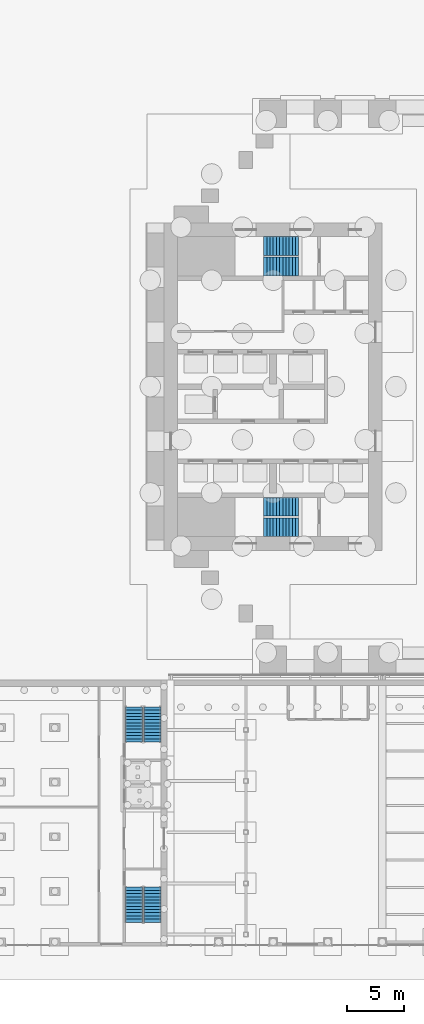
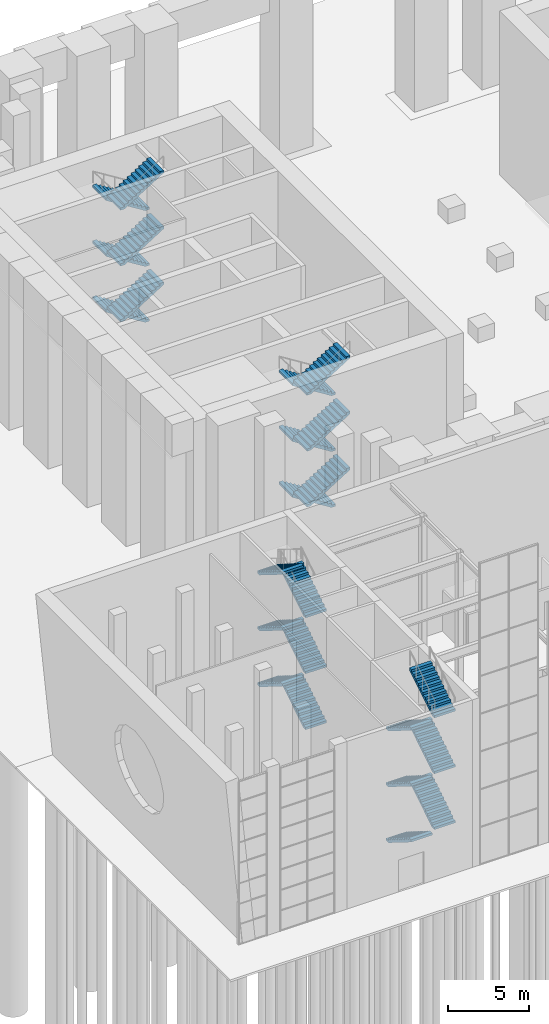
# One storey, part 49 of 58: 24 stair flights, 4 elements without a shape of their own.
"""IFC4 building model written with IfcOpenShell, lengths in metres."""

from ifc_helpers import new_model, si_unit, direction, frame, origin, place, context, subcontext, project, spatial, polyline, outline, extrude, material, type_object, element, aggregate, save


model = new_model("IFC4")

# Units and contexts
model_context = context("Model", 3, precision=1e-05, world=origin(), true_north=direction((0.0, 1.0)))
body_context = subcontext(model_context, "Body", "Model", "MODEL_VIEW")
ifc_project = project(units=[si_unit("LENGTHUNIT", "METRE"), si_unit("AREAUNIT", "SQUARE_METRE"), si_unit("VOLUMEUNIT", "CUBIC_METRE"), si_unit("PLANEANGLEUNIT", "RADIAN"), si_unit("MASSUNIT", "GRAM", prefix="KILO")], contexts=[model_context])

# Site, building, storey
site_placement = place(None, origin())
site = spatial("IfcSite", under=ifc_project, at=site_placement, CompositionType="ELEMENT")
building_placement = place(site_placement, origin())
building = spatial("IfcBuilding", under=site, at=building_placement, Name="Baori Bourse Tower", CompositionType="ELEMENT")
storey_placement = place(building_placement, origin())
storey = spatial("IfcBuildingStorey", under=building, at=storey_placement, Name="L00", CompositionType="ELEMENT", Elevation=0.0)

# Stair, stair flights
ifc_material_1 = material(Name="Concrete f'c 50 MPa", Category="concrete")
stair_type_1 = type_object("IfcStairType", Name="Core stair", PredefinedType="HALF_TURN_STAIR", material=ifc_material_1)
stair_1_placement = place(storey_placement, origin())
stair_1 = element("IfcStair", 1, at=stair_1_placement, inside=storey, type_object=stair_type_1, Name="L00 Stair WA", PredefinedType="HALF_TURN_STAIR")
ifc_material_2 = material(Name="Concrete f'c 50 MPa", Category="concrete")
stair_flight_type_1 = type_object("IfcStairFlightType", Name="Core stair flight", PredefinedType="STRAIGHT", material=ifc_material_2)
stair_flight_1_placement = place(storey_placement, frame((11.85009765625, 13.425048828125, 0.0), z_axis=(0.0, 0.0, 1.0), x_axis=(-1.0, 0.0, 0.0)))
stair_flight_1 = element("IfcStairFlight", 2, at=stair_flight_1_placement, type_object=stair_flight_type_1, Name="ST1 flight 1", NumberOfRisers=12, NumberOfTreads=11, PredefinedType="STRAIGHT", RiserHeight=0.175, TreadLength=0.28, context=body_context, shape_type="SweptSolid", body=[
    extrude(outline(polyline([(0.0, 0.0), (0.0, 0.175048828125), (0.280029296875, 0.175048828125), (0.280029296875, 0.35009765625), (0.56005859375, 0.35009765625), (0.56005859375, 0.52490234375), (0.840087890625, 0.52490234375), (0.840087890625, 0.699951171875), (1.1201171875, 0.699951171875), (1.1201171875, 0.875), (1.39990234375, 0.875), (1.39990234375, 1.050048828125), (1.679931640625, 1.050048828125), (1.679931640625, 1.22509765625), (1.9599609375, 1.22509765625), (1.9599609375, 1.39990234375), (2.239990234375, 1.39990234375), (2.239990234375, 1.574951171875), (2.52001953125, 1.574951171875), (2.52001953125, 1.75), (2.800048828125, 1.75), (2.800048828125, 1.925048828125), (3.080078125, 1.925048828125), (3.080078125, 2.10009765625), (3.080078125, 1.748291015625), (0.28271484375, 0.0), (0.0, 0.0)])), frame((0.0, 0.824951171875, 0.0), z_axis=(0.0, -1.0, 0.0), x_axis=(1.0, 0.0, 0.0)), (0.0, 0.0, 1.0), 1.64990234375),
])
stair_flight_2_placement = place(storey_placement, frame((8.77001953125, 11.625, 2.10009765625), z_axis=(0.0, 0.0, 1.0), x_axis=(1.0, 0.0, 0.0)))
stair_flight_2 = element("IfcStairFlight", 3, at=stair_flight_2_placement, type_object=stair_flight_type_1, Name="ST1 flight 2", NumberOfRisers=12, NumberOfTreads=11, PredefinedType="STRAIGHT", RiserHeight=0.175, TreadLength=0.28, context=body_context, shape_type="SweptSolid", body=[
    extrude(outline(polyline([(0.0, 0.0), (0.0, 0.175048828125), (0.280029296875, 0.175048828125), (0.280029296875, 0.35009765625), (0.56005859375, 0.35009765625), (0.56005859375, 0.52490234375), (0.840087890625, 0.52490234375), (0.840087890625, 0.699951171875), (1.1201171875, 0.699951171875), (1.1201171875, 0.875), (1.39990234375, 0.875), (1.39990234375, 1.050048828125), (1.679931640625, 1.050048828125), (1.679931640625, 1.22509765625), (1.9599609375, 1.22509765625), (1.9599609375, 1.39990234375), (2.239990234375, 1.39990234375), (2.239990234375, 1.574951171875), (2.52001953125, 1.574951171875), (2.52001953125, 1.75), (2.800048828125, 1.75), (2.800048828125, 1.925048828125), (3.080078125, 1.925048828125), (3.080078125, 2.10009765625), (3.080078125, 1.748291015625), (0.28271484375, 0.0), (0.0, 0.0)])), frame((0.0, 0.824951171875, 0.0), z_axis=(0.0, -1.0, 0.0), x_axis=(1.0, 0.0, 0.0)), (0.0, 0.0, 1.0), 1.64990234375),
])
stair_flight_3_placement = place(storey_placement, frame((11.85009765625, 13.425048828125, 4.199951171875), z_axis=(0.0, 0.0, 1.0), x_axis=(-1.0, 0.0, 0.0)))
stair_flight_3 = element("IfcStairFlight", 4, at=stair_flight_3_placement, type_object=stair_flight_type_1, Name="ST1 flight 3", NumberOfRisers=12, NumberOfTreads=11, PredefinedType="STRAIGHT", RiserHeight=0.175, TreadLength=0.28, context=body_context, shape_type="SweptSolid", body=[
    extrude(outline(polyline([(0.0, 0.0), (0.0, 0.175048828125), (0.280029296875, 0.175048828125), (0.280029296875, 0.35009765625), (0.56005859375, 0.35009765625), (0.56005859375, 0.52490234375), (0.840087890625, 0.52490234375), (0.840087890625, 0.699951171875), (1.1201171875, 0.699951171875), (1.1201171875, 0.875), (1.39990234375, 0.875), (1.39990234375, 1.050048828125), (1.679931640625, 1.050048828125), (1.679931640625, 1.22509765625), (1.9599609375, 1.22509765625), (1.9599609375, 1.39990234375), (2.239990234375, 1.39990234375), (2.239990234375, 1.574951171875), (2.52001953125, 1.574951171875), (2.52001953125, 1.75), (2.800048828125, 1.75), (2.800048828125, 1.925048828125), (3.080078125, 1.925048828125), (3.080078125, 2.10009765625), (3.080078125, 1.748291015625), (0.28271484375, 0.0), (0.0, 0.0)])), frame((0.0, 0.824951171875, 0.0), z_axis=(0.0, -1.0, 0.0), x_axis=(1.0, 0.0, 0.0)), (0.0, 0.0, 1.0), 1.64990234375),
])
stair_flight_4_placement = place(storey_placement, frame((8.77001953125, 11.625, 6.300048828125), z_axis=(0.0, 0.0, 1.0), x_axis=(1.0, 0.0, 0.0)))
stair_flight_4 = element("IfcStairFlight", 5, at=stair_flight_4_placement, type_object=stair_flight_type_1, Name="ST1 flight 4", NumberOfRisers=12, NumberOfTreads=11, PredefinedType="STRAIGHT", RiserHeight=0.175, TreadLength=0.28, context=body_context, shape_type="SweptSolid", body=[
    extrude(outline(polyline([(0.0, 0.0), (0.0, 0.175048828125), (0.280029296875, 0.175048828125), (0.280029296875, 0.35009765625), (0.56005859375, 0.35009765625), (0.56005859375, 0.52490234375), (0.840087890625, 0.52490234375), (0.840087890625, 0.699951171875), (1.1201171875, 0.699951171875), (1.1201171875, 0.875), (1.39990234375, 0.875), (1.39990234375, 1.050048828125), (1.679931640625, 1.050048828125), (1.679931640625, 1.22509765625), (1.9599609375, 1.22509765625), (1.9599609375, 1.39990234375), (2.239990234375, 1.39990234375), (2.239990234375, 1.574951171875), (2.52001953125, 1.574951171875), (2.52001953125, 1.75), (2.800048828125, 1.75), (2.800048828125, 1.925048828125), (3.080078125, 1.925048828125), (3.080078125, 2.10009765625), (3.080078125, 1.748291015625), (0.28271484375, 0.0), (0.0, 0.0)])), frame((0.0, 0.824951171875, 0.0), z_axis=(0.0, -1.0, 0.0), x_axis=(1.0, 0.0, 0.0)), (0.0, 0.0, 1.0), 1.64990234375),
])
stair_flight_5_placement = place(storey_placement, frame((11.85009765625, 13.425048828125, 8.39990234375), z_axis=(0.0, 0.0, 1.0), x_axis=(-1.0, 0.0, 0.0)))
stair_flight_5 = element("IfcStairFlight", 6, at=stair_flight_5_placement, type_object=stair_flight_type_1, Name="ST1 flight 5", NumberOfRisers=12, NumberOfTreads=11, PredefinedType="STRAIGHT", RiserHeight=0.175, TreadLength=0.28, context=body_context, shape_type="SweptSolid", body=[
    extrude(outline(polyline([(0.0, 0.0), (0.0, 0.175048828125), (0.280029296875, 0.175048828125), (0.280029296875, 0.35009765625), (0.56005859375, 0.35009765625), (0.56005859375, 0.52490234375), (0.840087890625, 0.52490234375), (0.840087890625, 0.699951171875), (1.1201171875, 0.699951171875), (1.1201171875, 0.875), (1.39990234375, 0.875), (1.39990234375, 1.050048828125), (1.679931640625, 1.050048828125), (1.679931640625, 1.22509765625), (1.9599609375, 1.22509765625), (1.9599609375, 1.39990234375), (2.239990234375, 1.39990234375), (2.239990234375, 1.574951171875), (2.52001953125, 1.574951171875), (2.52001953125, 1.75), (2.800048828125, 1.75), (2.800048828125, 1.925048828125), (3.080078125, 1.925048828125), (3.080078125, 2.10009765625), (3.080078125, 1.748291015625), (0.28271484375, 0.0), (0.0, 0.0)])), frame((0.0, 0.824951171875, 0.0), z_axis=(0.0, -1.0, 0.0), x_axis=(1.0, 0.0, 0.0)), (0.0, 0.0, 1.0), 1.64990234375),
])
stair_flight_6_placement = place(storey_placement, frame((8.77001953125, 11.625, 10.5), z_axis=(0.0, 0.0, 1.0), x_axis=(1.0, 0.0, 0.0)))
stair_flight_6 = element("IfcStairFlight", 7, at=stair_flight_6_placement, type_object=stair_flight_type_1, Name="ST1 flight 6", NumberOfRisers=12, NumberOfTreads=11, PredefinedType="STRAIGHT", RiserHeight=0.175, TreadLength=0.28, context=body_context, shape_type="SweptSolid", body=[
    extrude(outline(polyline([(0.0, 0.0), (0.0, 0.175048828125), (0.280029296875, 0.175048828125), (0.280029296875, 0.35009765625), (0.56005859375, 0.35009765625), (0.56005859375, 0.52490234375), (0.840087890625, 0.52490234375), (0.840087890625, 0.699951171875), (1.1201171875, 0.699951171875), (1.1201171875, 0.875), (1.39990234375, 0.875), (1.39990234375, 1.050048828125), (1.679931640625, 1.050048828125), (1.679931640625, 1.22509765625), (1.9599609375, 1.22509765625), (1.9599609375, 1.39990234375), (2.239990234375, 1.39990234375), (2.239990234375, 1.574951171875), (2.52001953125, 1.574951171875), (2.52001953125, 1.75), (2.800048828125, 1.75), (2.800048828125, 1.925048828125), (3.080078125, 1.925048828125), (3.080078125, 2.10009765625), (3.080078125, 1.748291015625), (0.28271484375, 0.0), (0.0, 0.0)])), frame((0.0, 0.824951171875, 0.0), z_axis=(0.0, -1.0, 0.0), x_axis=(1.0, 0.0, 0.0)), (0.0, 0.0, 1.0), 1.64990234375),
])
aggregate(stair_1, [stair_flight_1, stair_flight_2, stair_flight_3, stair_flight_4, stair_flight_5, stair_flight_6])

stair_2_placement = place(storey_placement, origin())
stair_2 = element("IfcStair", 8, at=stair_2_placement, inside=storey, type_object=stair_type_1, Name="L00 Stair WB", PredefinedType="HALF_TURN_STAIR")
stair_flight_7_placement = place(storey_placement, frame((11.85009765625, 36.375, 0.0), z_axis=(0.0, 0.0, 1.0), x_axis=(-1.0, 0.0, 0.0)))
stair_flight_7 = element("IfcStairFlight", 9, at=stair_flight_7_placement, type_object=stair_flight_type_1, Name="ST2 flight 1", NumberOfRisers=12, NumberOfTreads=11, PredefinedType="STRAIGHT", RiserHeight=0.175, TreadLength=0.28, context=body_context, shape_type="SweptSolid", body=[
    extrude(outline(polyline([(0.0, 0.0), (0.0, 0.175048828125), (0.280029296875, 0.175048828125), (0.280029296875, 0.35009765625), (0.56005859375, 0.35009765625), (0.56005859375, 0.52490234375), (0.840087890625, 0.52490234375), (0.840087890625, 0.699951171875), (1.1201171875, 0.699951171875), (1.1201171875, 0.875), (1.39990234375, 0.875), (1.39990234375, 1.050048828125), (1.679931640625, 1.050048828125), (1.679931640625, 1.22509765625), (1.9599609375, 1.22509765625), (1.9599609375, 1.39990234375), (2.239990234375, 1.39990234375), (2.239990234375, 1.574951171875), (2.52001953125, 1.574951171875), (2.52001953125, 1.75), (2.800048828125, 1.75), (2.800048828125, 1.925048828125), (3.080078125, 1.925048828125), (3.080078125, 2.10009765625), (3.080078125, 1.748291015625), (0.28271484375, 0.0), (0.0, 0.0)])), frame((0.0, 0.824951171875, 0.0), z_axis=(0.0, -1.0, 0.0), x_axis=(1.0, 0.0, 0.0)), (0.0, 0.0, 1.0), 1.64990234375),
])
stair_flight_8_placement = place(storey_placement, frame((8.77001953125, 34.574951171875, 2.10009765625), z_axis=(0.0, 0.0, 1.0), x_axis=(1.0, 0.0, 0.0)))
stair_flight_8 = element("IfcStairFlight", 10, at=stair_flight_8_placement, type_object=stair_flight_type_1, Name="ST2 flight 2", NumberOfRisers=12, NumberOfTreads=11, PredefinedType="STRAIGHT", RiserHeight=0.175, TreadLength=0.28, context=body_context, shape_type="SweptSolid", body=[
    extrude(outline(polyline([(0.0, 0.0), (0.0, 0.175048828125), (0.280029296875, 0.175048828125), (0.280029296875, 0.35009765625), (0.56005859375, 0.35009765625), (0.56005859375, 0.52490234375), (0.840087890625, 0.52490234375), (0.840087890625, 0.699951171875), (1.1201171875, 0.699951171875), (1.1201171875, 0.875), (1.39990234375, 0.875), (1.39990234375, 1.050048828125), (1.679931640625, 1.050048828125), (1.679931640625, 1.22509765625), (1.9599609375, 1.22509765625), (1.9599609375, 1.39990234375), (2.239990234375, 1.39990234375), (2.239990234375, 1.574951171875), (2.52001953125, 1.574951171875), (2.52001953125, 1.75), (2.800048828125, 1.75), (2.800048828125, 1.925048828125), (3.080078125, 1.925048828125), (3.080078125, 2.10009765625), (3.080078125, 1.748291015625), (0.28271484375, 0.0), (0.0, 0.0)])), frame((0.0, 0.824951171875, 0.0), z_axis=(0.0, -1.0, 0.0), x_axis=(1.0, 0.0, 0.0)), (0.0, 0.0, 1.0), 1.64990234375),
])
stair_flight_9_placement = place(storey_placement, frame((11.85009765625, 36.375, 4.199951171875), z_axis=(0.0, 0.0, 1.0), x_axis=(-1.0, 0.0, 0.0)))
stair_flight_9 = element("IfcStairFlight", 11, at=stair_flight_9_placement, type_object=stair_flight_type_1, Name="ST2 flight 3", NumberOfRisers=12, NumberOfTreads=11, PredefinedType="STRAIGHT", RiserHeight=0.175, TreadLength=0.28, context=body_context, shape_type="SweptSolid", body=[
    extrude(outline(polyline([(0.0, 0.0), (0.0, 0.175048828125), (0.280029296875, 0.175048828125), (0.280029296875, 0.35009765625), (0.56005859375, 0.35009765625), (0.56005859375, 0.52490234375), (0.840087890625, 0.52490234375), (0.840087890625, 0.699951171875), (1.1201171875, 0.699951171875), (1.1201171875, 0.875), (1.39990234375, 0.875), (1.39990234375, 1.050048828125), (1.679931640625, 1.050048828125), (1.679931640625, 1.22509765625), (1.9599609375, 1.22509765625), (1.9599609375, 1.39990234375), (2.239990234375, 1.39990234375), (2.239990234375, 1.574951171875), (2.52001953125, 1.574951171875), (2.52001953125, 1.75), (2.800048828125, 1.75), (2.800048828125, 1.925048828125), (3.080078125, 1.925048828125), (3.080078125, 2.10009765625), (3.080078125, 1.748291015625), (0.28271484375, 0.0), (0.0, 0.0)])), frame((0.0, 0.824951171875, 0.0), z_axis=(0.0, -1.0, 0.0), x_axis=(1.0, 0.0, 0.0)), (0.0, 0.0, 1.0), 1.64990234375),
])
stair_flight_10_placement = place(storey_placement, frame((8.77001953125, 34.574951171875, 6.300048828125), z_axis=(0.0, 0.0, 1.0), x_axis=(1.0, 0.0, 0.0)))
stair_flight_10 = element("IfcStairFlight", 12, at=stair_flight_10_placement, type_object=stair_flight_type_1, Name="ST2 flight 4", NumberOfRisers=12, NumberOfTreads=11, PredefinedType="STRAIGHT", RiserHeight=0.175, TreadLength=0.28, context=body_context, shape_type="SweptSolid", body=[
    extrude(outline(polyline([(0.0, 0.0), (0.0, 0.175048828125), (0.280029296875, 0.175048828125), (0.280029296875, 0.35009765625), (0.56005859375, 0.35009765625), (0.56005859375, 0.52490234375), (0.840087890625, 0.52490234375), (0.840087890625, 0.699951171875), (1.1201171875, 0.699951171875), (1.1201171875, 0.875), (1.39990234375, 0.875), (1.39990234375, 1.050048828125), (1.679931640625, 1.050048828125), (1.679931640625, 1.22509765625), (1.9599609375, 1.22509765625), (1.9599609375, 1.39990234375), (2.239990234375, 1.39990234375), (2.239990234375, 1.574951171875), (2.52001953125, 1.574951171875), (2.52001953125, 1.75), (2.800048828125, 1.75), (2.800048828125, 1.925048828125), (3.080078125, 1.925048828125), (3.080078125, 2.10009765625), (3.080078125, 1.748291015625), (0.28271484375, 0.0), (0.0, 0.0)])), frame((0.0, 0.824951171875, 0.0), z_axis=(0.0, -1.0, 0.0), x_axis=(1.0, 0.0, 0.0)), (0.0, 0.0, 1.0), 1.64990234375),
])
stair_flight_11_placement = place(storey_placement, frame((11.85009765625, 36.375, 8.39990234375), z_axis=(0.0, 0.0, 1.0), x_axis=(-1.0, 0.0, 0.0)))
stair_flight_11 = element("IfcStairFlight", 13, at=stair_flight_11_placement, type_object=stair_flight_type_1, Name="ST2 flight 5", NumberOfRisers=12, NumberOfTreads=11, PredefinedType="STRAIGHT", RiserHeight=0.175, TreadLength=0.28, context=body_context, shape_type="SweptSolid", body=[
    extrude(outline(polyline([(0.0, 0.0), (0.0, 0.175048828125), (0.280029296875, 0.175048828125), (0.280029296875, 0.35009765625), (0.56005859375, 0.35009765625), (0.56005859375, 0.52490234375), (0.840087890625, 0.52490234375), (0.840087890625, 0.699951171875), (1.1201171875, 0.699951171875), (1.1201171875, 0.875), (1.39990234375, 0.875), (1.39990234375, 1.050048828125), (1.679931640625, 1.050048828125), (1.679931640625, 1.22509765625), (1.9599609375, 1.22509765625), (1.9599609375, 1.39990234375), (2.239990234375, 1.39990234375), (2.239990234375, 1.574951171875), (2.52001953125, 1.574951171875), (2.52001953125, 1.75), (2.800048828125, 1.75), (2.800048828125, 1.925048828125), (3.080078125, 1.925048828125), (3.080078125, 2.10009765625), (3.080078125, 1.748291015625), (0.28271484375, 0.0), (0.0, 0.0)])), frame((0.0, 0.824951171875, 0.0), z_axis=(0.0, -1.0, 0.0), x_axis=(1.0, 0.0, 0.0)), (0.0, 0.0, 1.0), 1.64990234375),
])
stair_flight_12_placement = place(storey_placement, frame((8.77001953125, 34.574951171875, 10.5), z_axis=(0.0, 0.0, 1.0), x_axis=(1.0, 0.0, 0.0)))
stair_flight_12 = element("IfcStairFlight", 14, at=stair_flight_12_placement, type_object=stair_flight_type_1, Name="ST2 flight 6", NumberOfRisers=12, NumberOfTreads=11, PredefinedType="STRAIGHT", RiserHeight=0.175, TreadLength=0.28, context=body_context, shape_type="SweptSolid", body=[
    extrude(outline(polyline([(0.0, 0.0), (0.0, 0.175048828125), (0.280029296875, 0.175048828125), (0.280029296875, 0.35009765625), (0.56005859375, 0.35009765625), (0.56005859375, 0.52490234375), (0.840087890625, 0.52490234375), (0.840087890625, 0.699951171875), (1.1201171875, 0.699951171875), (1.1201171875, 0.875), (1.39990234375, 0.875), (1.39990234375, 1.050048828125), (1.679931640625, 1.050048828125), (1.679931640625, 1.22509765625), (1.9599609375, 1.22509765625), (1.9599609375, 1.39990234375), (2.239990234375, 1.39990234375), (2.239990234375, 1.574951171875), (2.52001953125, 1.574951171875), (2.52001953125, 1.75), (2.800048828125, 1.75), (2.800048828125, 1.925048828125), (3.080078125, 1.925048828125), (3.080078125, 2.10009765625), (3.080078125, 1.748291015625), (0.28271484375, 0.0), (0.0, 0.0)])), frame((0.0, 0.824951171875, 0.0), z_axis=(0.0, -1.0, 0.0), x_axis=(1.0, 0.0, 0.0)), (0.0, 0.0, 1.0), 1.64990234375),
])
aggregate(stair_2, [stair_flight_7, stair_flight_8, stair_flight_9, stair_flight_10, stair_flight_11, stair_flight_12])

ifc_material_3 = material(Name="Concrete f'c 40 MPa", Category="concrete")
stair_type_2 = type_object("IfcStairType", Name="Wing exit stair 1500", PredefinedType="HALF_TURN_STAIR", material=ifc_material_3)
stair_3_placement = place(storey_placement, origin())
stair_3 = element("IfcStair", 15, at=stair_3_placement, inside=storey, type_object=stair_type_2, Name="L00 Exit stair WA", PredefinedType="HALF_TURN_STAIR")
ifc_material_4 = material(Name="Concrete f'c 40 MPa", Category="concrete")
stair_flight_type_2 = type_object("IfcStairFlightType", Name="Wing stair flight 1500", PredefinedType="STRAIGHT", material=ifc_material_4)
stair_flight_13_placement = place(storey_placement, frame((-1.0, -7.260009765625, 0.0), z_axis=(0.0, 0.0, 1.0), x_axis=(0.0, 1.0, 0.0)))
stair_flight_13 = element("IfcStairFlight", 16, at=stair_flight_13_placement, type_object=stair_flight_type_2, Name="W-STA flight 1", NumberOfRisers=12, NumberOfTreads=11, PredefinedType="STRAIGHT", RiserHeight=0.175, TreadLength=0.28, context=body_context, shape_type="SweptSolid", body=[
    extrude(outline(polyline([(0.0, 0.0), (0.0, 0.175048828125), (0.280029296875, 0.175048828125), (0.280029296875, 0.35009765625), (0.56005859375, 0.35009765625), (0.56005859375, 0.52490234375), (0.840087890625, 0.52490234375), (0.840087890625, 0.699951171875), (1.1201171875, 0.699951171875), (1.1201171875, 0.875), (1.39990234375, 0.875), (1.39990234375, 1.050048828125), (1.679931640625, 1.050048828125), (1.679931640625, 1.22509765625), (1.9599609375, 1.22509765625), (1.9599609375, 1.39990234375), (2.239990234375, 1.39990234375), (2.239990234375, 1.574951171875), (2.52001953125, 1.574951171875), (2.52001953125, 1.75), (2.800048828125, 1.75), (2.800048828125, 1.925048828125), (3.080078125, 1.925048828125), (3.080078125, 2.10009765625), (3.080078125, 1.748291015625), (0.28271484375, 0.0), (0.0, 0.0)])), frame((0.0, 0.75, 0.0), z_axis=(0.0, -1.0, 0.0), x_axis=(1.0, 0.0, 0.0)), (0.0, 0.0, 1.0), 1.5),
])
stair_flight_14_placement = place(storey_placement, frame((-2.64990234375, -4.179931640625, 2.10009765625), z_axis=(0.0, 0.0, 1.0), x_axis=(0.0, -1.0, 0.0)))
stair_flight_14 = element("IfcStairFlight", 17, at=stair_flight_14_placement, type_object=stair_flight_type_2, Name="W-STA flight 2", NumberOfRisers=12, NumberOfTreads=11, PredefinedType="STRAIGHT", RiserHeight=0.175, TreadLength=0.28, context=body_context, shape_type="SweptSolid", body=[
    extrude(outline(polyline([(0.0, 0.0), (0.0, 0.175048828125), (0.280029296875, 0.175048828125), (0.280029296875, 0.35009765625), (0.56005859375, 0.35009765625), (0.56005859375, 0.52490234375), (0.840087890625, 0.52490234375), (0.840087890625, 0.699951171875), (1.1201171875, 0.699951171875), (1.1201171875, 0.875), (1.39990234375, 0.875), (1.39990234375, 1.050048828125), (1.679931640625, 1.050048828125), (1.679931640625, 1.22509765625), (1.9599609375, 1.22509765625), (1.9599609375, 1.39990234375), (2.239990234375, 1.39990234375), (2.239990234375, 1.574951171875), (2.52001953125, 1.574951171875), (2.52001953125, 1.75), (2.800048828125, 1.75), (2.800048828125, 1.925048828125), (3.080078125, 1.925048828125), (3.080078125, 2.10009765625), (3.080078125, 1.748291015625), (0.28271484375, 0.0), (0.0, 0.0)])), frame((0.0, 0.75, 0.0), z_axis=(0.0, -1.0, 0.0), x_axis=(1.0, 0.0, 0.0)), (0.0, 0.0, 1.0), 1.5),
])
stair_flight_15_placement = place(storey_placement, frame((-1.0, -7.260009765625, 4.199951171875), z_axis=(0.0, 0.0, 1.0), x_axis=(0.0, 1.0, 0.0)))
stair_flight_15 = element("IfcStairFlight", 18, at=stair_flight_15_placement, type_object=stair_flight_type_2, Name="W-STA flight 3", NumberOfRisers=12, NumberOfTreads=11, PredefinedType="STRAIGHT", RiserHeight=0.175, TreadLength=0.28, context=body_context, shape_type="SweptSolid", body=[
    extrude(outline(polyline([(0.0, 0.0), (0.0, 0.175048828125), (0.280029296875, 0.175048828125), (0.280029296875, 0.35009765625), (0.56005859375, 0.35009765625), (0.56005859375, 0.52490234375), (0.840087890625, 0.52490234375), (0.840087890625, 0.699951171875), (1.1201171875, 0.699951171875), (1.1201171875, 0.875), (1.39990234375, 0.875), (1.39990234375, 1.050048828125), (1.679931640625, 1.050048828125), (1.679931640625, 1.22509765625), (1.9599609375, 1.22509765625), (1.9599609375, 1.39990234375), (2.239990234375, 1.39990234375), (2.239990234375, 1.574951171875), (2.52001953125, 1.574951171875), (2.52001953125, 1.75), (2.800048828125, 1.75), (2.800048828125, 1.925048828125), (3.080078125, 1.925048828125), (3.080078125, 2.10009765625), (3.080078125, 1.748291015625), (0.28271484375, 0.0), (0.0, 0.0)])), frame((0.0, 0.75, 0.0), z_axis=(0.0, -1.0, 0.0), x_axis=(1.0, 0.0, 0.0)), (0.0, 0.0, 1.0), 1.5),
])
stair_flight_16_placement = place(storey_placement, frame((-2.64990234375, -4.179931640625, 6.300048828125), z_axis=(0.0, 0.0, 1.0), x_axis=(0.0, -1.0, 0.0)))
stair_flight_16 = element("IfcStairFlight", 19, at=stair_flight_16_placement, type_object=stair_flight_type_2, Name="W-STA flight 4", NumberOfRisers=12, NumberOfTreads=11, PredefinedType="STRAIGHT", RiserHeight=0.175, TreadLength=0.28, context=body_context, shape_type="SweptSolid", body=[
    extrude(outline(polyline([(0.0, 0.0), (0.0, 0.175048828125), (0.280029296875, 0.175048828125), (0.280029296875, 0.35009765625), (0.56005859375, 0.35009765625), (0.56005859375, 0.52490234375), (0.840087890625, 0.52490234375), (0.840087890625, 0.699951171875), (1.1201171875, 0.699951171875), (1.1201171875, 0.875), (1.39990234375, 0.875), (1.39990234375, 1.050048828125), (1.679931640625, 1.050048828125), (1.679931640625, 1.22509765625), (1.9599609375, 1.22509765625), (1.9599609375, 1.39990234375), (2.239990234375, 1.39990234375), (2.239990234375, 1.574951171875), (2.52001953125, 1.574951171875), (2.52001953125, 1.75), (2.800048828125, 1.75), (2.800048828125, 1.925048828125), (3.080078125, 1.925048828125), (3.080078125, 2.10009765625), (3.080078125, 1.748291015625), (0.28271484375, 0.0), (0.0, 0.0)])), frame((0.0, 0.75, 0.0), z_axis=(0.0, -1.0, 0.0), x_axis=(1.0, 0.0, 0.0)), (0.0, 0.0, 1.0), 1.5),
])
stair_flight_17_placement = place(storey_placement, frame((-1.0, -7.260009765625, 8.39990234375), z_axis=(0.0, 0.0, 1.0), x_axis=(0.0, 1.0, 0.0)))
stair_flight_17 = element("IfcStairFlight", 20, at=stair_flight_17_placement, type_object=stair_flight_type_2, Name="W-STA flight 5", NumberOfRisers=12, NumberOfTreads=11, PredefinedType="STRAIGHT", RiserHeight=0.175, TreadLength=0.28, context=body_context, shape_type="SweptSolid", body=[
    extrude(outline(polyline([(0.0, 0.0), (0.0, 0.175048828125), (0.280029296875, 0.175048828125), (0.280029296875, 0.35009765625), (0.56005859375, 0.35009765625), (0.56005859375, 0.52490234375), (0.840087890625, 0.52490234375), (0.840087890625, 0.699951171875), (1.1201171875, 0.699951171875), (1.1201171875, 0.875), (1.39990234375, 0.875), (1.39990234375, 1.050048828125), (1.679931640625, 1.050048828125), (1.679931640625, 1.22509765625), (1.9599609375, 1.22509765625), (1.9599609375, 1.39990234375), (2.239990234375, 1.39990234375), (2.239990234375, 1.574951171875), (2.52001953125, 1.574951171875), (2.52001953125, 1.75), (2.800048828125, 1.75), (2.800048828125, 1.925048828125), (3.080078125, 1.925048828125), (3.080078125, 2.10009765625), (3.080078125, 1.748291015625), (0.28271484375, 0.0), (0.0, 0.0)])), frame((0.0, 0.75, 0.0), z_axis=(0.0, -1.0, 0.0), x_axis=(1.0, 0.0, 0.0)), (0.0, 0.0, 1.0), 1.5),
])
stair_flight_18_placement = place(storey_placement, frame((-2.64990234375, -4.179931640625, 10.5), z_axis=(0.0, 0.0, 1.0), x_axis=(0.0, -1.0, 0.0)))
stair_flight_18 = element("IfcStairFlight", 21, at=stair_flight_18_placement, type_object=stair_flight_type_2, Name="W-STA flight 6", NumberOfRisers=12, NumberOfTreads=11, PredefinedType="STRAIGHT", RiserHeight=0.175, TreadLength=0.28, context=body_context, shape_type="SweptSolid", body=[
    extrude(outline(polyline([(0.0, 0.0), (0.0, 0.175048828125), (0.280029296875, 0.175048828125), (0.280029296875, 0.35009765625), (0.56005859375, 0.35009765625), (0.56005859375, 0.52490234375), (0.840087890625, 0.52490234375), (0.840087890625, 0.699951171875), (1.1201171875, 0.699951171875), (1.1201171875, 0.875), (1.39990234375, 0.875), (1.39990234375, 1.050048828125), (1.679931640625, 1.050048828125), (1.679931640625, 1.22509765625), (1.9599609375, 1.22509765625), (1.9599609375, 1.39990234375), (2.239990234375, 1.39990234375), (2.239990234375, 1.574951171875), (2.52001953125, 1.574951171875), (2.52001953125, 1.75), (2.800048828125, 1.75), (2.800048828125, 1.925048828125), (3.080078125, 1.925048828125), (3.080078125, 2.10009765625), (3.080078125, 1.748291015625), (0.28271484375, 0.0), (0.0, 0.0)])), frame((0.0, 0.75, 0.0), z_axis=(0.0, -1.0, 0.0), x_axis=(1.0, 0.0, 0.0)), (0.0, 0.0, 1.0), 1.5),
])
aggregate(stair_3, [stair_flight_13, stair_flight_14, stair_flight_15, stair_flight_16, stair_flight_17, stair_flight_18])

stair_4_placement = place(storey_placement, origin())
stair_4 = element("IfcStair", 22, at=stair_4_placement, inside=storey, type_object=stair_type_2, Name="L00 Exit stair WB", PredefinedType="HALF_TURN_STAIR")
stair_flight_19_placement = place(storey_placement, frame((-2.64990234375, -20.0400390625, 0.0), z_axis=(0.0, 0.0, 1.0), x_axis=(0.0, -1.0, 0.0)))
stair_flight_19 = element("IfcStairFlight", 23, at=stair_flight_19_placement, type_object=stair_flight_type_2, Name="W-STB flight 1", NumberOfRisers=12, NumberOfTreads=11, PredefinedType="STRAIGHT", RiserHeight=0.175, TreadLength=0.28, context=body_context, shape_type="SweptSolid", body=[
    extrude(outline(polyline([(0.0, 0.0), (0.0, 0.175048828125), (0.280029296875, 0.175048828125), (0.280029296875, 0.35009765625), (0.56005859375, 0.35009765625), (0.56005859375, 0.52490234375), (0.840087890625, 0.52490234375), (0.840087890625, 0.699951171875), (1.1201171875, 0.699951171875), (1.1201171875, 0.875), (1.39990234375, 0.875), (1.39990234375, 1.050048828125), (1.679931640625, 1.050048828125), (1.679931640625, 1.22509765625), (1.9599609375, 1.22509765625), (1.9599609375, 1.39990234375), (2.239990234375, 1.39990234375), (2.239990234375, 1.574951171875), (2.52001953125, 1.574951171875), (2.52001953125, 1.75), (2.800048828125, 1.75), (2.800048828125, 1.925048828125), (3.080078125, 1.925048828125), (3.080078125, 2.10009765625), (3.080078125, 1.748291015625), (0.28271484375, 0.0), (0.0, 0.0)])), frame((0.0, 0.75, 0.0), z_axis=(0.0, -1.0, 0.0), x_axis=(1.0, 0.0, 0.0)), (0.0, 0.0, 1.0), 1.5),
])
stair_flight_20_placement = place(storey_placement, frame((-1.0, -23.1201171875, 2.10009765625), z_axis=(0.0, 0.0, 1.0), x_axis=(0.0, 1.0, 0.0)))
stair_flight_20 = element("IfcStairFlight", 24, at=stair_flight_20_placement, type_object=stair_flight_type_2, Name="W-STB flight 2", NumberOfRisers=12, NumberOfTreads=11, PredefinedType="STRAIGHT", RiserHeight=0.175, TreadLength=0.28, context=body_context, shape_type="SweptSolid", body=[
    extrude(outline(polyline([(0.0, 0.0), (0.0, 0.175048828125), (0.280029296875, 0.175048828125), (0.280029296875, 0.35009765625), (0.56005859375, 0.35009765625), (0.56005859375, 0.52490234375), (0.840087890625, 0.52490234375), (0.840087890625, 0.699951171875), (1.1201171875, 0.699951171875), (1.1201171875, 0.875), (1.39990234375, 0.875), (1.39990234375, 1.050048828125), (1.679931640625, 1.050048828125), (1.679931640625, 1.22509765625), (1.9599609375, 1.22509765625), (1.9599609375, 1.39990234375), (2.239990234375, 1.39990234375), (2.239990234375, 1.574951171875), (2.52001953125, 1.574951171875), (2.52001953125, 1.75), (2.800048828125, 1.75), (2.800048828125, 1.925048828125), (3.080078125, 1.925048828125), (3.080078125, 2.10009765625), (3.080078125, 1.748291015625), (0.28271484375, 0.0), (0.0, 0.0)])), frame((0.0, 0.75, 0.0), z_axis=(0.0, -1.0, 0.0), x_axis=(1.0, 0.0, 0.0)), (0.0, 0.0, 1.0), 1.5),
])
stair_flight_21_placement = place(storey_placement, frame((-2.64990234375, -20.0400390625, 4.199951171875), z_axis=(0.0, 0.0, 1.0), x_axis=(0.0, -1.0, 0.0)))
stair_flight_21 = element("IfcStairFlight", 25, at=stair_flight_21_placement, type_object=stair_flight_type_2, Name="W-STB flight 3", NumberOfRisers=12, NumberOfTreads=11, PredefinedType="STRAIGHT", RiserHeight=0.175, TreadLength=0.28, context=body_context, shape_type="SweptSolid", body=[
    extrude(outline(polyline([(0.0, 0.0), (0.0, 0.175048828125), (0.280029296875, 0.175048828125), (0.280029296875, 0.35009765625), (0.56005859375, 0.35009765625), (0.56005859375, 0.52490234375), (0.840087890625, 0.52490234375), (0.840087890625, 0.699951171875), (1.1201171875, 0.699951171875), (1.1201171875, 0.875), (1.39990234375, 0.875), (1.39990234375, 1.050048828125), (1.679931640625, 1.050048828125), (1.679931640625, 1.22509765625), (1.9599609375, 1.22509765625), (1.9599609375, 1.39990234375), (2.239990234375, 1.39990234375), (2.239990234375, 1.574951171875), (2.52001953125, 1.574951171875), (2.52001953125, 1.75), (2.800048828125, 1.75), (2.800048828125, 1.925048828125), (3.080078125, 1.925048828125), (3.080078125, 2.10009765625), (3.080078125, 1.748291015625), (0.28271484375, 0.0), (0.0, 0.0)])), frame((0.0, 0.75, 0.0), z_axis=(0.0, -1.0, 0.0), x_axis=(1.0, 0.0, 0.0)), (0.0, 0.0, 1.0), 1.5),
])
stair_flight_22_placement = place(storey_placement, frame((-1.0, -23.1201171875, 6.300048828125), z_axis=(0.0, 0.0, 1.0), x_axis=(0.0, 1.0, 0.0)))
stair_flight_22 = element("IfcStairFlight", 26, at=stair_flight_22_placement, type_object=stair_flight_type_2, Name="W-STB flight 4", NumberOfRisers=12, NumberOfTreads=11, PredefinedType="STRAIGHT", RiserHeight=0.175, TreadLength=0.28, context=body_context, shape_type="SweptSolid", body=[
    extrude(outline(polyline([(0.0, 0.0), (0.0, 0.175048828125), (0.280029296875, 0.175048828125), (0.280029296875, 0.35009765625), (0.56005859375, 0.35009765625), (0.56005859375, 0.52490234375), (0.840087890625, 0.52490234375), (0.840087890625, 0.699951171875), (1.1201171875, 0.699951171875), (1.1201171875, 0.875), (1.39990234375, 0.875), (1.39990234375, 1.050048828125), (1.679931640625, 1.050048828125), (1.679931640625, 1.22509765625), (1.9599609375, 1.22509765625), (1.9599609375, 1.39990234375), (2.239990234375, 1.39990234375), (2.239990234375, 1.574951171875), (2.52001953125, 1.574951171875), (2.52001953125, 1.75), (2.800048828125, 1.75), (2.800048828125, 1.925048828125), (3.080078125, 1.925048828125), (3.080078125, 2.10009765625), (3.080078125, 1.748291015625), (0.28271484375, 0.0), (0.0, 0.0)])), frame((0.0, 0.75, 0.0), z_axis=(0.0, -1.0, 0.0), x_axis=(1.0, 0.0, 0.0)), (0.0, 0.0, 1.0), 1.5),
])
stair_flight_23_placement = place(storey_placement, frame((-2.64990234375, -20.0400390625, 8.39990234375), z_axis=(0.0, 0.0, 1.0), x_axis=(0.0, -1.0, 0.0)))
stair_flight_23 = element("IfcStairFlight", 27, at=stair_flight_23_placement, type_object=stair_flight_type_2, Name="W-STB flight 5", NumberOfRisers=12, NumberOfTreads=11, PredefinedType="STRAIGHT", RiserHeight=0.175, TreadLength=0.28, context=body_context, shape_type="SweptSolid", body=[
    extrude(outline(polyline([(0.0, 0.0), (0.0, 0.175048828125), (0.280029296875, 0.175048828125), (0.280029296875, 0.35009765625), (0.56005859375, 0.35009765625), (0.56005859375, 0.52490234375), (0.840087890625, 0.52490234375), (0.840087890625, 0.699951171875), (1.1201171875, 0.699951171875), (1.1201171875, 0.875), (1.39990234375, 0.875), (1.39990234375, 1.050048828125), (1.679931640625, 1.050048828125), (1.679931640625, 1.22509765625), (1.9599609375, 1.22509765625), (1.9599609375, 1.39990234375), (2.239990234375, 1.39990234375), (2.239990234375, 1.574951171875), (2.52001953125, 1.574951171875), (2.52001953125, 1.75), (2.800048828125, 1.75), (2.800048828125, 1.925048828125), (3.080078125, 1.925048828125), (3.080078125, 2.10009765625), (3.080078125, 1.748291015625), (0.28271484375, 0.0), (0.0, 0.0)])), frame((0.0, 0.75, 0.0), z_axis=(0.0, -1.0, 0.0), x_axis=(1.0, 0.0, 0.0)), (0.0, 0.0, 1.0), 1.5),
])
stair_flight_24_placement = place(storey_placement, frame((-1.0, -23.1201171875, 10.5), z_axis=(0.0, 0.0, 1.0), x_axis=(0.0, 1.0, 0.0)))
stair_flight_24 = element("IfcStairFlight", 28, at=stair_flight_24_placement, type_object=stair_flight_type_2, Name="W-STB flight 6", NumberOfRisers=12, NumberOfTreads=11, PredefinedType="STRAIGHT", RiserHeight=0.175, TreadLength=0.28, context=body_context, shape_type="SweptSolid", body=[
    extrude(outline(polyline([(0.0, 0.0), (0.0, 0.175048828125), (0.280029296875, 0.175048828125), (0.280029296875, 0.35009765625), (0.56005859375, 0.35009765625), (0.56005859375, 0.52490234375), (0.840087890625, 0.52490234375), (0.840087890625, 0.699951171875), (1.1201171875, 0.699951171875), (1.1201171875, 0.875), (1.39990234375, 0.875), (1.39990234375, 1.050048828125), (1.679931640625, 1.050048828125), (1.679931640625, 1.22509765625), (1.9599609375, 1.22509765625), (1.9599609375, 1.39990234375), (2.239990234375, 1.39990234375), (2.239990234375, 1.574951171875), (2.52001953125, 1.574951171875), (2.52001953125, 1.75), (2.800048828125, 1.75), (2.800048828125, 1.925048828125), (3.080078125, 1.925048828125), (3.080078125, 2.10009765625), (3.080078125, 1.748291015625), (0.28271484375, 0.0), (0.0, 0.0)])), frame((0.0, 0.75, 0.0), z_axis=(0.0, -1.0, 0.0), x_axis=(1.0, 0.0, 0.0)), (0.0, 0.0, 1.0), 1.5),
])
aggregate(stair_4, [stair_flight_19, stair_flight_20, stair_flight_21, stair_flight_22, stair_flight_23, stair_flight_24])

save(model, "model.ifc")
